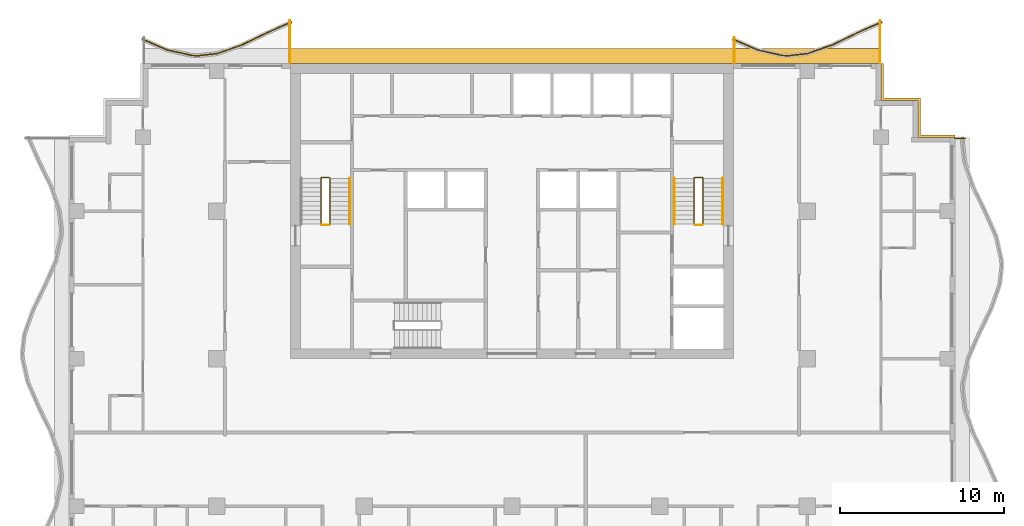
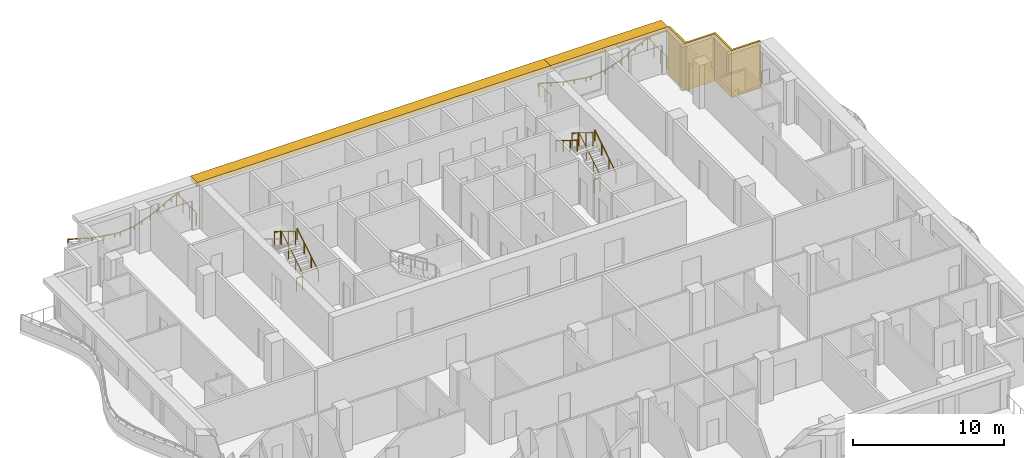
# One storey, part 11 of 11: 13 railings, 3 shading devices.
"""IFC4 building model written with IfcOpenShell, lengths in metres."""

from ifc_helpers import new_model, si_unit, direction, frame, origin, origin_2d, place, context, subcontext, project, spatial, polyline, rectangle, circle, outline, extrude, material, layer, layer_set, type_object, element, save


model = new_model("IFC4")

# Units and contexts
model_context = context("Model", 3, precision=1e-05, world=origin(), true_north=direction((0.0, 1.0)))
body_context = subcontext(model_context, "Body", "Model", "MODEL_VIEW")
ifc_project = project(units=[si_unit("LENGTHUNIT", "METRE"), si_unit("AREAUNIT", "SQUARE_METRE"), si_unit("VOLUMEUNIT", "CUBIC_METRE"), si_unit("PLANEANGLEUNIT", "RADIAN"), si_unit("MASSUNIT", "GRAM", prefix="KILO")], contexts=[model_context])

# Site, building, storey
site_placement = place(None, origin())
site = spatial("IfcSite", under=ifc_project, at=site_placement, CompositionType="ELEMENT")
building_placement = place(site_placement, origin())
building = spatial("IfcBuilding", under=site, at=building_placement, Name="Orbiselva Terraces", CompositionType="ELEMENT")
storey_placement = place(building_placement, frame((0.0, 0.0, 254.0)))
storey = spatial("IfcBuildingStorey", under=building, at=storey_placement, Name="L64", CompositionType="ELEMENT", Elevation=254.0)

# Railings
ifc_material_1 = material(Name="Stainless steel", Category="steel")
railing_type_1 = type_object("IfcRailingType", Name="CORE-GUARD-1100", PredefinedType="GUARDRAIL", material=ifc_material_1)
railing_1_placement = place(storey_placement, frame((-11.1, 12.7, 0.172727)))
element("IfcRailing", 1, at=railing_1_placement, inside=storey, type_object=railing_type_1, Name="L64 S1 stair guard 1", PredefinedType="GUARDRAIL", context=body_context, shape_type="SweptSolid", body=[
    extrude(circle(Radius=0.024, at=origin_2d()), frame((0.0, 0.0, 1.081), z_axis=(0.0, 0.851088519012, 0.52502222125), x_axis=(-1.0, 0.0, 0.0)), (0.0, 0.0, 1.0), 3.289905),
    extrude(circle(Radius=0.024, at=origin_2d()), frame((0.0, 2.8, 2.808273), z_axis=(-0.707106781187, 0.707106781187, 0.0), x_axis=(-0.707106781187, -0.707106781187, 0.0)), (0.0, 0.0, 1.0), 0.070711),
    extrude(circle(Radius=0.024, at=origin_2d()), frame((-0.05, 2.85, 2.808273), z_axis=(-1.0, 0.0, 0.0), x_axis=(0.0, -1.0, 0.0)), (0.0, 0.0, 1.0), 0.45),
    extrude(circle(Radius=0.024, at=origin_2d()), frame((-0.5, 2.85, 2.808273), z_axis=(-0.267894925557, -0.267894925557, 0.925453736133), x_axis=(0.707106781187, -0.707106781187, 0.0)), (0.0, 0.0, 1.0), 0.18664),
    extrude(circle(Radius=0.024, at=origin_2d()), frame((-0.55, 2.8, 2.981), z_axis=(0.0, -0.851088519012, 0.52502222125), x_axis=(1.0, 0.0, 0.0)), (0.0, 0.0, 1.0), 3.289905),
    extrude(circle(Radius=0.021, at=origin_2d()), origin(), (0.0, 0.0, 1.0), 1.057),
    extrude(circle(Radius=0.021, at=origin_2d()), frame((0.0, 0.933333, 0.575758)), (0.0, 0.0, 1.0), 1.057),
    extrude(circle(Radius=0.021, at=origin_2d()), frame((0.0, 1.866667, 1.151515)), (0.0, 0.0, 1.0), 1.057),
    extrude(circle(Radius=0.021, at=origin_2d()), frame((0.0, 2.8, 1.727273)), (0.0, 0.0, 1.0), 1.057),
    extrude(circle(Radius=0.021, at=origin_2d()), frame((-0.05, 2.85, 1.727273)), (0.0, 0.0, 1.0), 1.057),
    extrude(circle(Radius=0.021, at=origin_2d()), frame((-0.5, 2.85, 1.727273)), (0.0, 0.0, 1.0), 1.057),
    extrude(circle(Radius=0.021, at=origin_2d()), frame((-0.55, 2.8, 1.9)), (0.0, 0.0, 1.0), 1.057),
    extrude(circle(Radius=0.021, at=origin_2d()), frame((-0.55, 1.866667, 2.475758)), (0.0, 0.0, 1.0), 1.057),
    extrude(circle(Radius=0.021, at=origin_2d()), frame((-0.55, 0.933333, 3.051515)), (0.0, 0.0, 1.0), 1.057),
    extrude(circle(Radius=0.021, at=origin_2d()), frame((-0.55, 0.0, 3.627273)), (0.0, 0.0, 1.0), 1.057),
])
railing_2_placement = place(storey_placement, frame((-11.15, 12.65, 0.0)))
element("IfcRailing", 2, at=railing_2_placement, inside=storey, type_object=railing_type_1, Name="L64 S1 stair guard 2", PredefinedType="GUARDRAIL", context=body_context, shape_type="SweptSolid", body=[
    extrude(circle(Radius=0.024, at=origin_2d()), frame((0.0, 0.0, 1.081), z_axis=(-1.0, 0.0, 0.0), x_axis=(0.0, -1.0, 0.0)), (0.0, 0.0, 1.0), 0.45),
    extrude(circle(Radius=0.021, at=origin_2d()), origin(), (0.0, 0.0, 1.0), 1.057),
    extrude(circle(Radius=0.021, at=origin_2d()), frame((-0.45, 0.0, 0.0)), (0.0, 0.0, 1.0), 1.057),
])
railing_3_placement = place(storey_placement, frame((11.65, 12.7, 0.172727)))
element("IfcRailing", 3, at=railing_3_placement, inside=storey, type_object=railing_type_1, Name="L64 S2 stair guard 1", PredefinedType="GUARDRAIL", context=body_context, shape_type="SweptSolid", body=[
    extrude(circle(Radius=0.024, at=origin_2d()), frame((0.0, 0.0, 1.081), z_axis=(0.0, 0.851088519012, 0.52502222125), x_axis=(-1.0, 0.0, 0.0)), (0.0, 0.0, 1.0), 3.289905),
    extrude(circle(Radius=0.024, at=origin_2d()), frame((0.0, 2.8, 2.808273), z_axis=(-0.707106781187, 0.707106781187, 0.0), x_axis=(-0.707106781187, -0.707106781187, 0.0)), (0.0, 0.0, 1.0), 0.070711),
    extrude(circle(Radius=0.024, at=origin_2d()), frame((-0.05, 2.85, 2.808273), z_axis=(-1.0, 0.0, 0.0), x_axis=(0.0, -1.0, 0.0)), (0.0, 0.0, 1.0), 0.45),
    extrude(circle(Radius=0.024, at=origin_2d()), frame((-0.5, 2.85, 2.808273), z_axis=(-0.267894925557, -0.267894925557, 0.925453736133), x_axis=(0.707106781187, -0.707106781187, 0.0)), (0.0, 0.0, 1.0), 0.18664),
    extrude(circle(Radius=0.024, at=origin_2d()), frame((-0.55, 2.8, 2.981), z_axis=(0.0, -0.851088519012, 0.52502222125), x_axis=(1.0, 0.0, 0.0)), (0.0, 0.0, 1.0), 3.289905),
    extrude(circle(Radius=0.021, at=origin_2d()), origin(), (0.0, 0.0, 1.0), 1.057),
    extrude(circle(Radius=0.021, at=origin_2d()), frame((0.0, 0.933333, 0.575758)), (0.0, 0.0, 1.0), 1.057),
    extrude(circle(Radius=0.021, at=origin_2d()), frame((0.0, 1.866667, 1.151515)), (0.0, 0.0, 1.0), 1.057),
    extrude(circle(Radius=0.021, at=origin_2d()), frame((0.0, 2.8, 1.727273)), (0.0, 0.0, 1.0), 1.057),
    extrude(circle(Radius=0.021, at=origin_2d()), frame((-0.05, 2.85, 1.727273)), (0.0, 0.0, 1.0), 1.057),
    extrude(circle(Radius=0.021, at=origin_2d()), frame((-0.5, 2.85, 1.727273)), (0.0, 0.0, 1.0), 1.057),
    extrude(circle(Radius=0.021, at=origin_2d()), frame((-0.55, 2.8, 1.9)), (0.0, 0.0, 1.0), 1.057),
    extrude(circle(Radius=0.021, at=origin_2d()), frame((-0.55, 1.866667, 2.475758)), (0.0, 0.0, 1.0), 1.057),
    extrude(circle(Radius=0.021, at=origin_2d()), frame((-0.55, 0.933333, 3.051515)), (0.0, 0.0, 1.0), 1.057),
    extrude(circle(Radius=0.021, at=origin_2d()), frame((-0.55, 0.0, 3.627273)), (0.0, 0.0, 1.0), 1.057),
])
railing_4_placement = place(storey_placement, frame((11.6, 12.65, 0.0)))
element("IfcRailing", 4, at=railing_4_placement, inside=storey, type_object=railing_type_1, Name="L64 S2 stair guard 2", PredefinedType="GUARDRAIL", context=body_context, shape_type="SweptSolid", body=[
    extrude(circle(Radius=0.024, at=origin_2d()), frame((0.0, 0.0, 1.081), z_axis=(-1.0, 0.0, 0.0), x_axis=(0.0, -1.0, 0.0)), (0.0, 0.0, 1.0), 0.45),
    extrude(circle(Radius=0.021, at=origin_2d()), origin(), (0.0, 0.0, 1.0), 1.057),
    extrude(circle(Radius=0.021, at=origin_2d()), frame((-0.45, 0.0, 0.0)), (0.0, 0.0, 1.0), 1.057),
])
railing_type_2 = type_object("IfcRailingType", Name="CORE-HANDRAIL-900", PredefinedType="HANDRAIL", material=ifc_material_1)
for number, where, name in (
    (5, (-9.9, 12.7, 0.172727), "L64 S1 stair handrail 1"),
    (6, (12.85, 12.7, 0.172727), "L64 S2 stair handrail 1"),
):
    element("IfcRailing", number, at=place(storey_placement, frame(where)), inside=storey, type_object=railing_type_2, Name=name, PredefinedType="HANDRAIL", context=body_context, shape_type="SweptSolid", body=[
        extrude(circle(Radius=0.024, at=origin_2d()), frame((0.0, 0.0, 0.876), z_axis=(0.0, 0.851088519012, 0.52502222125), x_axis=(-1.0, 0.0, 0.0)), (0.0, 0.0, 1.0), 3.289905),
        extrude(circle(Radius=0.021, at=origin_2d()), origin(), (0.0, 0.0, 1.0), 0.852),
        extrude(circle(Radius=0.021, at=origin_2d()), frame((0.0, 0.933333, 0.575758)), (0.0, 0.0, 1.0), 0.852),
        extrude(circle(Radius=0.021, at=origin_2d()), frame((0.0, 1.866667, 1.151515)), (0.0, 0.0, 1.0), 0.852),
        extrude(circle(Radius=0.021, at=origin_2d()), frame((0.0, 2.8, 1.727273)), (0.0, 0.0, 1.0), 0.852),
    ])
railing_5_placement = place(storey_placement, frame((9.9, 15.5, 2.072727)))
element("IfcRailing", 7, at=railing_5_placement, inside=storey, type_object=railing_type_2, Name="L64 S2 stair handrail 2", PredefinedType="HANDRAIL", context=body_context, shape_type="SweptSolid", body=[
    extrude(circle(Radius=0.024, at=origin_2d()), frame((0.0, 0.0, 0.876), z_axis=(0.0, -0.851088519012, 0.52502222125), x_axis=(1.0, 0.0, 0.0)), (0.0, 0.0, 1.0), 3.289905),
    extrude(circle(Radius=0.021, at=origin_2d()), origin(), (0.0, 0.0, 1.0), 0.852),
    extrude(circle(Radius=0.021, at=origin_2d()), frame((0.0, -0.933333, 0.575758)), (0.0, 0.0, 1.0), 0.852),
    extrude(circle(Radius=0.021, at=origin_2d()), frame((0.0, -1.866667, 1.151515)), (0.0, 0.0, 1.0), 0.852),
    extrude(circle(Radius=0.021, at=origin_2d()), frame((0.0, -2.8, 1.727273)), (0.0, 0.0, 1.0), 0.852),
])
ifc_material_2 = material(Name="Bonded two-ply safety glass balustrade, stainless steel posts", Category="steel")
railing_type_3 = type_object("IfcRailingType", Name="ENV-BALUSTRADE-1200", PredefinedType="BALUSTRADE", material=ifc_material_2)
railing_6_placement = place(storey_placement, frame((22.550394, 25.034136, 0.9)))
element("IfcRailing", 8, at=railing_6_placement, inside=storey, type_object=railing_type_3, Name="Balcony balustrade L64 NE", PredefinedType="BALUSTRADE", context=body_context, shape_type="SweptSolid", body=[
    extrude(outline(polyline([(0.028868, 0.0), (0.014434, 0.025), (-0.014434, 0.025), (-0.028868, 0.0), (-0.014434, -0.025), (0.014434, -0.025), (0.028868, 0.0)])), frame((0.0, 0.0, 0.275), z_axis=(-0.915133498047, -0.403150940408, 0.0), x_axis=(0.403150940408, -0.915133498047, 0.0)), (0.0, 0.0, 1.0), 1.636648),
    extrude(outline(polyline([(0.028868, 0.0), (0.014434, 0.025), (-0.014434, 0.025), (-0.028868, 0.0), (-0.014434, -0.025), (0.014434, -0.025), (0.028868, 0.0)])), frame((-1.497751, -0.659816, 0.275), z_axis=(-0.898578870221, -0.438812048596, 0.0), x_axis=(0.438812048596, -0.898578870221, 0.0)), (0.0, 0.0, 1.0), 1.674225),
    extrude(outline(polyline([(0.028868, 0.0), (0.014434, 0.025), (-0.014434, 0.025), (-0.028868, 0.0), (-0.014434, -0.025), (0.014434, -0.025), (0.028868, 0.0)])), frame((-3.002174, -1.394486, 0.275), z_axis=(-0.943972332783, -0.330024597479, 0.0), x_axis=(0.330024597479, -0.943972332783, 0.0)), (0.0, 0.0, 1.0), 1.610253),
    extrude(outline(polyline([(0.028868, 0.0), (0.014434, 0.025), (-0.014434, 0.025), (-0.028868, 0.0), (-0.014434, -0.025), (0.014434, -0.025), (0.028868, 0.0)])), frame((-4.522208, -1.925909, 0.275), z_axis=(-0.993309551734, -0.115482182324, 0.0), x_axis=(0.115482182324, -0.993309551734, 0.0)), (0.0, 0.0, 1.0), 1.156135),
    extrude(outline(polyline([(0.028868, 0.0), (0.014434, 0.025), (-0.014434, 0.025), (-0.028868, 0.0), (-0.014434, -0.025), (0.014434, -0.025), (0.028868, 0.0)])), frame((-5.670608, -2.059422, 0.275), z_axis=(-0.999224734286, 0.03936915532, 0.0), x_axis=(-0.03936915532, -0.999224734286, 0.0)), (0.0, 0.0, 1.0), 0.396376),
    extrude(outline(polyline([(0.028868, 0.0), (0.014434, 0.025), (-0.014434, 0.025), (-0.028868, 0.0), (-0.014434, -0.025), (0.014434, -0.025), (0.028868, 0.0)])), frame((-6.066677, -2.043817, 0.275), z_axis=(-0.97572137947, 0.219015500924, 0.0), x_axis=(-0.219015500924, -0.97572137947, 0.0)), (0.0, 0.0, 1.0), 1.560867),
    extrude(outline(polyline([(0.028868, 0.0), (0.014434, 0.025), (-0.014434, 0.025), (-0.028868, 0.0), (-0.014434, -0.025), (0.014434, -0.025), (0.028868, 0.0)])), frame((-7.589648, -1.701963, 0.275), z_axis=(-0.915133578754, 0.403150757208, 0.0), x_axis=(-0.403150757208, -0.915133578754, 0.0)), (0.0, 0.0, 1.0), 1.651278),
    extrude(rectangle(XDim=0.05, YDim=0.05, at=origin_2d()), origin(), (0.0, 0.0, 1.0), 0.25),
    extrude(rectangle(XDim=0.05, YDim=0.05, at=origin_2d()), frame((-0.748876, -0.329908, 0.0)), (0.0, 0.0, 1.0), 0.25),
    extrude(rectangle(XDim=0.05, YDim=0.05, at=origin_2d()), frame((-1.497751, -0.659816, 0.0)), (0.0, 0.0, 1.0), 0.25),
    extrude(rectangle(XDim=0.05, YDim=0.05, at=origin_2d()), frame((-2.249963, -1.027151, 0.0)), (0.0, 0.0, 1.0), 0.25),
    extrude(rectangle(XDim=0.05, YDim=0.05, at=origin_2d()), frame((-3.002174, -1.394486, 0.0)), (0.0, 0.0, 1.0), 0.25),
    extrude(rectangle(XDim=0.05, YDim=0.05, at=origin_2d()), frame((-3.762191, -1.660198, 0.0)), (0.0, 0.0, 1.0), 0.25),
    extrude(rectangle(XDim=0.05, YDim=0.05, at=origin_2d()), frame((-4.522208, -1.925909, 0.0)), (0.0, 0.0, 1.0), 0.25),
    extrude(rectangle(XDim=0.05, YDim=0.05, at=origin_2d()), frame((-5.670608, -2.059422, 0.0)), (0.0, 0.0, 1.0), 0.25),
    extrude(rectangle(XDim=0.05, YDim=0.05, at=origin_2d()), frame((-6.066677, -2.043817, 0.0)), (0.0, 0.0, 1.0), 0.25),
    extrude(rectangle(XDim=0.05, YDim=0.05, at=origin_2d()), frame((-6.828163, -1.87289, 0.0)), (0.0, 0.0, 1.0), 0.25),
    extrude(rectangle(XDim=0.05, YDim=0.05, at=origin_2d()), frame((-7.589648, -1.701963, 0.0)), (0.0, 0.0, 1.0), 0.25),
    extrude(rectangle(XDim=0.05, YDim=0.05, at=origin_2d()), frame((-8.345218, -1.369106, 0.0)), (0.0, 0.0, 1.0), 0.25),
    extrude(rectangle(XDim=0.05, YDim=0.05, at=origin_2d()), frame((-9.100788, -1.036249, 0.0)), (0.0, 0.0, 1.0), 0.25),
])
railing_7_placement = place(storey_placement, frame((-13.449606, 25.034136, 0.9)))
element("IfcRailing", 9, at=railing_7_placement, inside=storey, type_object=railing_type_3, Name="Balcony balustrade L64 NW", PredefinedType="BALUSTRADE", context=body_context, shape_type="SweptSolid", body=[
    extrude(outline(polyline([(0.028868, 0.0), (0.014434, 0.025), (-0.014434, 0.025), (-0.028868, 0.0), (-0.014434, -0.025), (0.014434, -0.025), (0.028868, 0.0)])), frame((0.0, 0.0, 0.275), z_axis=(-0.915133498047, -0.403150940408, 0.0), x_axis=(0.403150940408, -0.915133498047, 0.0)), (0.0, 0.0, 1.0), 1.636648),
    extrude(outline(polyline([(0.028868, 0.0), (0.014434, 0.025), (-0.014434, 0.025), (-0.028868, 0.0), (-0.014434, -0.025), (0.014434, -0.025), (0.028868, 0.0)])), frame((-1.497751, -0.659816, 0.275), z_axis=(-0.898578870221, -0.438812048596, 0.0), x_axis=(0.438812048596, -0.898578870221, 0.0)), (0.0, 0.0, 1.0), 1.674225),
    extrude(outline(polyline([(0.028868, 0.0), (0.014434, 0.025), (-0.014434, 0.025), (-0.028868, 0.0), (-0.014434, -0.025), (0.014434, -0.025), (0.028868, 0.0)])), frame((-3.002174, -1.394486, 0.275), z_axis=(-0.943972332783, -0.330024597479, 0.0), x_axis=(0.330024597479, -0.943972332783, 0.0)), (0.0, 0.0, 1.0), 1.610253),
    extrude(outline(polyline([(0.028868, 0.0), (0.014434, 0.025), (-0.014434, 0.025), (-0.028868, 0.0), (-0.014434, -0.025), (0.014434, -0.025), (0.028868, 0.0)])), frame((-4.522208, -1.925909, 0.275), z_axis=(-0.993309551734, -0.115482182324, 0.0), x_axis=(0.115482182324, -0.993309551734, 0.0)), (0.0, 0.0, 1.0), 1.156135),
    extrude(outline(polyline([(0.028868, 0.0), (0.014434, 0.025), (-0.014434, 0.025), (-0.028868, 0.0), (-0.014434, -0.025), (0.014434, -0.025), (0.028868, 0.0)])), frame((-5.670608, -2.059422, 0.275), z_axis=(-0.999224734286, 0.03936915532, 0.0), x_axis=(-0.03936915532, -0.999224734286, 0.0)), (0.0, 0.0, 1.0), 0.396376),
    extrude(outline(polyline([(0.028868, 0.0), (0.014434, 0.025), (-0.014434, 0.025), (-0.028868, 0.0), (-0.014434, -0.025), (0.014434, -0.025), (0.028868, 0.0)])), frame((-6.066677, -2.043817, 0.275), z_axis=(-0.97572137947, 0.219015500924, 0.0), x_axis=(-0.219015500924, -0.97572137947, 0.0)), (0.0, 0.0, 1.0), 1.560867),
    extrude(outline(polyline([(0.028868, 0.0), (0.014434, 0.025), (-0.014434, 0.025), (-0.028868, 0.0), (-0.014434, -0.025), (0.014434, -0.025), (0.028868, 0.0)])), frame((-7.589648, -1.701963, 0.275), z_axis=(-0.915133578754, 0.403150757208, 0.0), x_axis=(-0.403150757208, -0.915133578754, 0.0)), (0.0, 0.0, 1.0), 1.651278),
    extrude(rectangle(XDim=0.05, YDim=0.05, at=origin_2d()), origin(), (0.0, 0.0, 1.0), 0.25),
    extrude(rectangle(XDim=0.05, YDim=0.05, at=origin_2d()), frame((-0.748876, -0.329908, 0.0)), (0.0, 0.0, 1.0), 0.25),
    extrude(rectangle(XDim=0.05, YDim=0.05, at=origin_2d()), frame((-1.497751, -0.659816, 0.0)), (0.0, 0.0, 1.0), 0.25),
    extrude(rectangle(XDim=0.05, YDim=0.05, at=origin_2d()), frame((-2.249963, -1.027151, 0.0)), (0.0, 0.0, 1.0), 0.25),
    extrude(rectangle(XDim=0.05, YDim=0.05, at=origin_2d()), frame((-3.002174, -1.394486, 0.0)), (0.0, 0.0, 1.0), 0.25),
    extrude(rectangle(XDim=0.05, YDim=0.05, at=origin_2d()), frame((-3.762191, -1.660198, 0.0)), (0.0, 0.0, 1.0), 0.25),
    extrude(rectangle(XDim=0.05, YDim=0.05, at=origin_2d()), frame((-4.522208, -1.925909, 0.0)), (0.0, 0.0, 1.0), 0.25),
    extrude(rectangle(XDim=0.05, YDim=0.05, at=origin_2d()), frame((-5.670608, -2.059422, 0.0)), (0.0, 0.0, 1.0), 0.25),
    extrude(rectangle(XDim=0.05, YDim=0.05, at=origin_2d()), frame((-6.066677, -2.043817, 0.0)), (0.0, 0.0, 1.0), 0.25),
    extrude(rectangle(XDim=0.05, YDim=0.05, at=origin_2d()), frame((-6.828163, -1.87289, 0.0)), (0.0, 0.0, 1.0), 0.25),
    extrude(rectangle(XDim=0.05, YDim=0.05, at=origin_2d()), frame((-7.589648, -1.701963, 0.0)), (0.0, 0.0, 1.0), 0.25),
    extrude(rectangle(XDim=0.05, YDim=0.05, at=origin_2d()), frame((-8.345218, -1.369106, 0.0)), (0.0, 0.0, 1.0), 0.25),
    extrude(rectangle(XDim=0.05, YDim=0.05, at=origin_2d()), frame((-9.100788, -1.036249, 0.0)), (0.0, 0.0, 1.0), 0.25),
])
ifc_material_3 = material(Name="Stainless steel rail and posts", Category="steel")
railing_type_4 = type_object("IfcRailingType", Name="ENV-GUARD-1105", PredefinedType="BALUSTRADE", material=ifc_material_3)
railing_8_placement = place(storey_placement, frame((27.610431, 17.94, 0.0)))
element("IfcRailing", 10, at=railing_8_placement, inside=storey, type_object=railing_type_4, Name="Balcony end guard L64 E", PredefinedType="BALUSTRADE", context=body_context, shape_type="SweptSolid", body=[
    extrude(outline(polyline([(0.028868, 0.0), (0.014434, 0.025), (-0.014434, 0.025), (-0.028868, 0.0), (-0.014434, -0.025), (0.014434, -0.025), (0.028868, 0.0)])), frame((0.0, 0.0, 1.08), z_axis=(-1.0, 0.0, 0.0), x_axis=(0.0, -1.0, 0.0)), (0.0, 0.0, 1.0), 0.585431),
    extrude(rectangle(XDim=0.05, YDim=0.05, at=origin_2d()), origin(), (0.0, 0.0, 1.0), 1.055),
    extrude(rectangle(XDim=0.05, YDim=0.05, at=origin_2d()), frame((-0.585431, 0.0, 0.0)), (0.0, 0.0, 1.0), 1.055),
])
railing_9_placement = place(storey_placement, frame((22.44, 25.126937, 0.0)))
element("IfcRailing", 11, at=railing_9_placement, inside=storey, type_object=railing_type_4, Name="Balcony end guard L64 NE", PredefinedType="BALUSTRADE", context=body_context, shape_type="SweptSolid", body=[
    extrude(outline(polyline([(0.028868, 0.0), (0.014434, 0.025), (-0.014434, 0.025), (-0.028868, 0.0), (-0.014434, -0.025), (0.014434, -0.025), (0.028868, 0.0)])), frame((0.0, 0.0, 1.08), z_axis=(0.0, -1.0, 0.0), x_axis=(1.0, 0.0, 0.0)), (0.0, 0.0, 1.0), 2.601937),
    extrude(rectangle(XDim=0.05, YDim=0.05, at=origin_2d()), origin(), (0.0, 0.0, 1.0), 1.055),
    extrude(rectangle(XDim=0.05, YDim=0.05, at=origin_2d()), frame((0.0, -0.867312, 0.0)), (0.0, 0.0, 1.0), 1.055),
    extrude(rectangle(XDim=0.05, YDim=0.05, at=origin_2d()), frame((0.0, -1.734625, 0.0)), (0.0, 0.0, 1.0), 1.055),
    extrude(rectangle(XDim=0.05, YDim=0.05, at=origin_2d()), frame((0.0, -2.601937, 0.0)), (0.0, 0.0, 1.0), 1.055),
])
railing_10_placement = place(storey_placement, frame((13.56, 24.082553, 0.0)))
element("IfcRailing", 12, at=railing_10_placement, inside=storey, type_object=railing_type_4, Name="Balcony end guard L64 NE", PredefinedType="BALUSTRADE", context=body_context, shape_type="SweptSolid", body=[
    extrude(outline(polyline([(0.028868, 0.0), (0.014434, 0.025), (-0.014434, 0.025), (-0.028868, 0.0), (-0.014434, -0.025), (0.014434, -0.025), (0.028868, 0.0)])), frame((0.0, 0.0, 1.08), z_axis=(0.0, -1.0, 0.0), x_axis=(1.0, 0.0, 0.0)), (0.0, 0.0, 1.0), 1.557553),
    extrude(rectangle(XDim=0.05, YDim=0.05, at=origin_2d()), origin(), (0.0, 0.0, 1.0), 1.055),
    extrude(rectangle(XDim=0.05, YDim=0.05, at=origin_2d()), frame((0.0, -0.778777, 0.0)), (0.0, 0.0, 1.0), 1.055),
    extrude(rectangle(XDim=0.05, YDim=0.05, at=origin_2d()), frame((0.0, -1.557553, 0.0)), (0.0, 0.0, 1.0), 1.055),
])
railing_11_placement = place(storey_placement, frame((-13.56, 25.126937, 0.0)))
element("IfcRailing", 13, at=railing_11_placement, inside=storey, type_object=railing_type_4, Name="Balcony end guard L64 NW", PredefinedType="BALUSTRADE", context=body_context, shape_type="SweptSolid", body=[
    extrude(outline(polyline([(0.028868, 0.0), (0.014434, 0.025), (-0.014434, 0.025), (-0.028868, 0.0), (-0.014434, -0.025), (0.014434, -0.025), (0.028868, 0.0)])), frame((0.0, 0.0, 1.08), z_axis=(0.0, -1.0, 0.0), x_axis=(1.0, 0.0, 0.0)), (0.0, 0.0, 1.0), 2.601937),
    extrude(rectangle(XDim=0.05, YDim=0.05, at=origin_2d()), origin(), (0.0, 0.0, 1.0), 1.055),
    extrude(rectangle(XDim=0.05, YDim=0.05, at=origin_2d()), frame((0.0, -0.867312, 0.0)), (0.0, 0.0, 1.0), 1.055),
    extrude(rectangle(XDim=0.05, YDim=0.05, at=origin_2d()), frame((0.0, -1.734625, 0.0)), (0.0, 0.0, 1.0), 1.055),
    extrude(rectangle(XDim=0.05, YDim=0.05, at=origin_2d()), frame((0.0, -2.601937, 0.0)), (0.0, 0.0, 1.0), 1.055),
])

# Shading devices
ifc_material_4 = material(Name="Terracotta louvre screen", Category="masonry")
ifc_layer_1 = layer(ifc_material_4, 0.15)
ifc_layer_set_1 = layer_set([ifc_layer_1], Name="Terracotta louvre screen")
shading_device_type_1 = type_object("IfcShadingDeviceType", Name="ENV-SCREEN-150", PredefinedType="USERDEFINED", material=ifc_layer_set_1)
shading_device_1_placement = place(storey_placement, frame((0.0, 0.0, -0.3)))
element("IfcShadingDevice", 14, at=shading_device_1_placement, inside=storey, type_object=shading_device_type_1, Name="Louvre screen L64 NE", ObjectType="SCREEN", PredefinedType="USERDEFINED", context=body_context, shape_type="SweptSolid", body=[
    extrude(outline(polyline([(27.0, 18.15), (24.9, 18.15), (24.9, 20.4), (22.65, 20.4), (22.65, 22.5), (22.5, 22.5), (22.5, 20.25), (24.75, 20.25), (24.75, 18.0), (27.0, 18.0), (27.0, 18.15)])), origin(), (0.0, 0.0, 1.0), 3.8),
])
ifc_material_5 = material(Name="Terracotta baguette sunshade", Category="masonry")
ifc_layer_2 = layer(ifc_material_5, 0.35)
ifc_layer_set_2 = layer_set([ifc_layer_2], Name="Terracotta baguette sunshade")
shading_device_type_2 = type_object("IfcShadingDeviceType", Name="ENV-SUNSHADE-900x350", PredefinedType="USERDEFINED", material=ifc_layer_set_2)
shading_device_2_placement = place(storey_placement, frame((0.0, 0.0, 3.15)))
element("IfcShadingDevice", 15, at=shading_device_2_placement, inside=storey, type_object=shading_device_type_2, Name="Sunshade band L64 NE", ObjectType="SUNSHADE", PredefinedType="USERDEFINED", context=body_context, shape_type="SweptSolid", body=[
    extrude(outline(polyline([(22.5, 23.4), (13.5, 23.4), (13.5, 22.5), (22.5, 22.5), (22.5, 23.4)])), origin(), (0.0, 0.0, 1.0), 0.35),
])
shading_device_3_placement = place(storey_placement, frame((0.0, 0.0, 3.15)))
element("IfcShadingDevice", 16, at=shading_device_3_placement, inside=storey, type_object=shading_device_type_2, Name="Sunshade band L64 CORE NORTH", ObjectType="SUNSHADE", PredefinedType="USERDEFINED", context=body_context, shape_type="SweptSolid", body=[
    extrude(outline(polyline([(13.5, 23.4), (-13.5, 23.4), (-13.5, 22.5), (13.5, 22.5), (13.5, 23.4)])), origin(), (0.0, 0.0, 1.0), 0.35),
])

save(model, "model.ifc")
